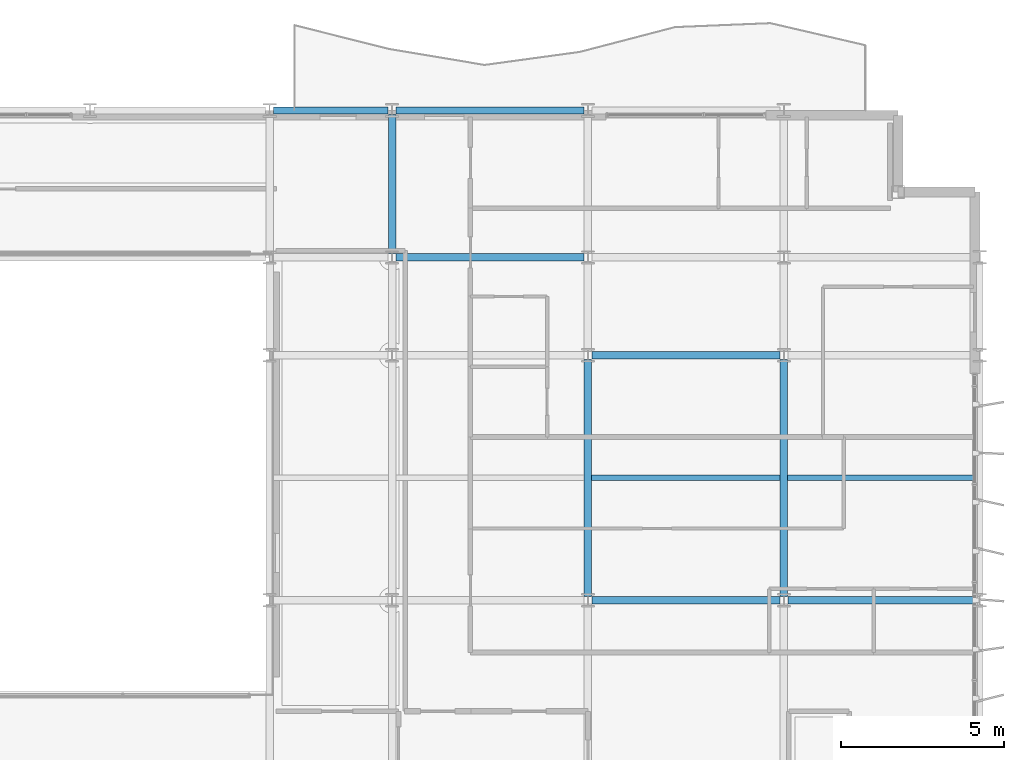
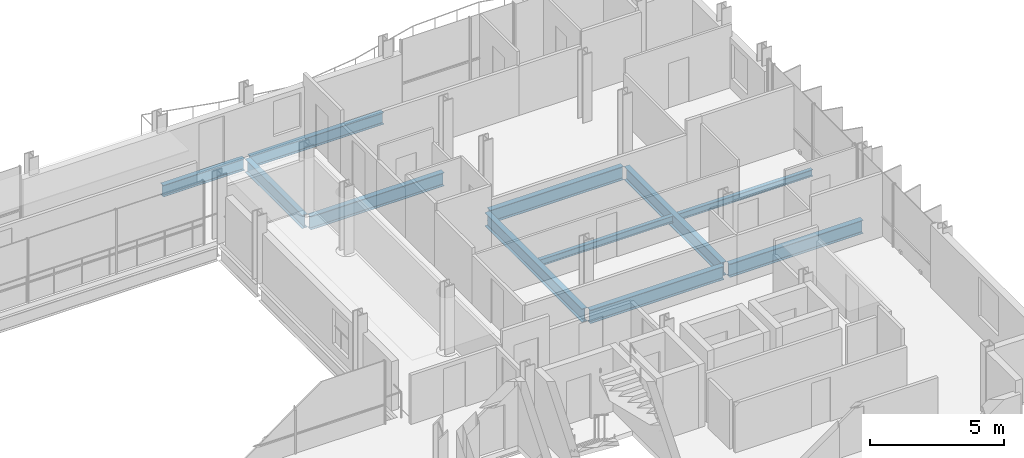
# One storey, part 20 of 39: 11 beams.
"""IFC4 building model written with IfcOpenShell, lengths in metres."""

from ifc_helpers import new_model, si_unit, direction, frame, origin, origin_2d, place, context, subcontext, project, spatial, i_section, extrude, material, material_profile, profile_set, type_object, element, save


model = new_model("IFC4")

# Units and contexts
model_context = context("Model", 3, precision=1e-05, world=origin(), true_north=direction((0.0, 1.0)))
body_context = subcontext(model_context, "Body", "Model", "MODEL_VIEW")
ifc_project = project(units=[si_unit("LENGTHUNIT", "METRE"), si_unit("AREAUNIT", "SQUARE_METRE"), si_unit("VOLUMEUNIT", "CUBIC_METRE"), si_unit("PLANEANGLEUNIT", "RADIAN"), si_unit("MASSUNIT", "GRAM", prefix="KILO")], contexts=[model_context])

# Site, building, storey
site_placement = place(None, origin())
site = spatial("IfcSite", under=ifc_project, at=site_placement, CompositionType="ELEMENT")
building_placement = place(site_placement, origin())
building = spatial("IfcBuilding", under=site, at=building_placement, Name="Brevholm Reach", CompositionType="ELEMENT")
storey_placement = place(building_placement, frame((0.0, 0.0, 154.199951171875)))
storey = spatial("IfcBuildingStorey", under=building, at=storey_placement, Name="L46", CompositionType="ELEMENT", Elevation=154.199951171875)

# Beams
ifc_material_1 = material(Name="Structural Steel S355J2", Category="steel")
ifc_material_profile_1 = material_profile(ifc_material_1, i_section(OverallWidth=0.1650390625, OverallDepth=0.303466796875, WebThickness=0.006103515625, FlangeThickness=0.01025390625, FilletRadius=0.0087890625, at=origin_2d()), Name="UKB 305x165x40")
ifc_profile_set_1 = profile_set([ifc_material_profile_1], Name="Structural Steel S355J2")
beam_type_1 = type_object("IfcBeamType", Name="BM-B305", PredefinedType="BEAM", material=ifc_profile_set_1)
beam_1_placement = place(storey_placement, frame((48.114501953125, 19.75, -0.37158203125), z_axis=(1.0, 0.0, 0.0), x_axis=(0.0, 1.0, 0.0)))
element("IfcBeam", 1, at=beam_1_placement, inside=storey, type_object=beam_type_1, Name="L46 Composite Secondary Floor Beam", PredefinedType="BEAM", context=body_context, shape_type="SweptSolid", body=[
    extrude(i_section(OverallWidth=0.1650390625, OverallDepth=0.303466796875, WebThickness=0.006103515625, FlangeThickness=0.01025390625, FilletRadius=0.0087890625, at=origin_2d()), origin(), (0.0, 0.0, 1.0), 5.77099609375),
])
beam_2_placement = place(storey_placement, frame((54.114501953125, 19.75, -0.37158203125), z_axis=(1.0, 0.0, 0.0), x_axis=(0.0, 1.0, 0.0)))
element("IfcBeam", 2, at=beam_2_placement, inside=storey, type_object=beam_type_1, Name="L46 Composite Secondary Floor Beam", PredefinedType="BEAM", context=body_context, shape_type="SweptSolid", body=[
    extrude(i_section(OverallWidth=0.1650390625, OverallDepth=0.303466796875, WebThickness=0.006103515625, FlangeThickness=0.01025390625, FilletRadius=0.0087890625, at=origin_2d()), origin(), (0.0, 0.0, 1.0), 5.78076171875),
])
ifc_material_2 = material(Name="Structural Steel S355J2", Category="steel")
ifc_material_profile_2 = material_profile(ifc_material_2, i_section(OverallWidth=0.209228515625, OverallDepth=0.533203125, WebThickness=0.010009765625, FlangeThickness=0.015625, FilletRadius=0.0126953125, at=origin_2d()), Name="UKB 533x210x92")
ifc_profile_set_2 = profile_set([ifc_material_profile_2], Name="Structural Steel S355J2")
beam_type_2 = type_object("IfcBeamType", Name="BM-SP533", PredefinedType="SPANDREL", material=ifc_profile_set_2)
beam_3_placement = place(storey_placement, frame((38.3701171875, 31.0, -0.486572265625), z_axis=(1.0, 0.0, 0.0), x_axis=(0.0, 1.0, 0.0)))
element("IfcBeam", 3, at=beam_3_placement, inside=storey, type_object=beam_type_2, Name="L46 SP-02 Framing Beam", PredefinedType="SPANDREL", context=body_context, shape_type="SweptSolid", body=[
    extrude(i_section(OverallWidth=0.209228515625, OverallDepth=0.533203125, WebThickness=0.010009765625, FlangeThickness=0.015625, FilletRadius=0.0126953125, at=origin_2d()), origin(), (0.0, 0.0, 1.0), 3.509765625),
])
beam_4_placement = place(storey_placement, frame((42.1201171875, 31.0, -0.486572265625), z_axis=(1.0, 0.0, 0.0), x_axis=(0.0, 1.0, 0.0)))
element("IfcBeam", 4, at=beam_4_placement, inside=storey, type_object=beam_type_2, Name="L46 SP-02 Framing Beam", PredefinedType="SPANDREL", context=body_context, shape_type="SweptSolid", body=[
    extrude(i_section(OverallWidth=0.209228515625, OverallDepth=0.533203125, WebThickness=0.010009765625, FlangeThickness=0.015625, FilletRadius=0.0126953125, at=origin_2d()), origin(), (0.0, 0.0, 1.0), 5.759765625),
])
ifc_material_3 = material(Name="Structural Steel S355J2", Category="steel")
ifc_material_profile_3 = material_profile(ifc_material_3, i_section(OverallWidth=0.22900390625, OverallDepth=0.6123046875, WebThickness=0.011962890625, FlangeThickness=0.01953125, FilletRadius=0.0126953125, at=origin_2d()), Name="UKB 610x229x125")
ifc_profile_set_3 = profile_set([ifc_material_profile_3], Name="Structural Steel S355J2")
beam_type_3 = type_object("IfcBeamType", Name="BM-SP610", PredefinedType="SPANDREL", material=ifc_profile_set_3)
for number, where, z_axis, x_axis, name in (
    (5, (48.1201171875, 16.0, -0.526123046875), (1.0, 0.0, 0.0), (0.0, 1.0, 0.0), "L46 SP-01 Framing Beam"),
    (6, (54.1201171875, 16.0, -0.526123046875), (1.0, 0.0, 0.0), (0.0, 1.0, 0.0), "L46 SP-01 Framing Beam"),
    (7, (48.1201171875, 23.5, -0.526123046875), (1.0, 0.0, 0.0), (0.0, 1.0, 0.0), "L46 SP-01 Framing Beam"),
    (8, (42.1201171875, 26.5, -0.526123046875), (1.0, 0.0, 0.0), (0.0, 1.0, 0.0), "L46 SP-01 Framing Beam"),
):
    element("IfcBeam", number, at=place(storey_placement, frame(where, z_axis=z_axis, x_axis=x_axis)), inside=storey, type_object=beam_type_3, Name=name, PredefinedType="SPANDREL", context=body_context, shape_type="SweptSolid", body=[
        extrude(i_section(OverallWidth=0.22900390625, OverallDepth=0.6123046875, WebThickness=0.011962890625, FlangeThickness=0.01953125, FilletRadius=0.0126953125, at=origin_2d()), origin(), (0.0, 0.0, 1.0), 5.759765625),
    ])
beam_5_placement = place(storey_placement, frame((42.0, 26.6201171875, -0.526123046875), z_axis=(0.0, 1.0, 0.0), x_axis=(-1.0, 0.0, 0.0)))
element("IfcBeam", 9, at=beam_5_placement, inside=storey, type_object=beam_type_3, Name="L46 SP-01 Framing Beam", PredefinedType="SPANDREL", context=body_context, shape_type="SweptSolid", body=[
    extrude(i_section(OverallWidth=0.22900390625, OverallDepth=0.6123046875, WebThickness=0.011962890625, FlangeThickness=0.01953125, FilletRadius=0.0126953125, at=origin_2d()), origin(), (0.0, 0.0, 1.0), 4.259765625),
])
for number, where, z_axis, x_axis, name in (
    (10, (48.0, 16.1201171875, -0.526123046875), (0.0, 1.0, 0.0), (-1.0, 0.0, 0.0), "L46 SP-01 Framing Beam"),
    (11, (54.0, 16.1201171875, -0.526123046875), (0.0, 1.0, 0.0), (-1.0, 0.0, 0.0), "L46 SP-01 Framing Beam"),
):
    element("IfcBeam", number, at=place(storey_placement, frame(where, z_axis=z_axis, x_axis=x_axis)), inside=storey, type_object=beam_type_3, Name=name, PredefinedType="SPANDREL", context=body_context, shape_type="SweptSolid", body=[
        extrude(i_section(OverallWidth=0.22900390625, OverallDepth=0.6123046875, WebThickness=0.011962890625, FlangeThickness=0.01953125, FilletRadius=0.0126953125, at=origin_2d()), origin(), (0.0, 0.0, 1.0), 7.259765625),
    ])

save(model, "model.ifc")
